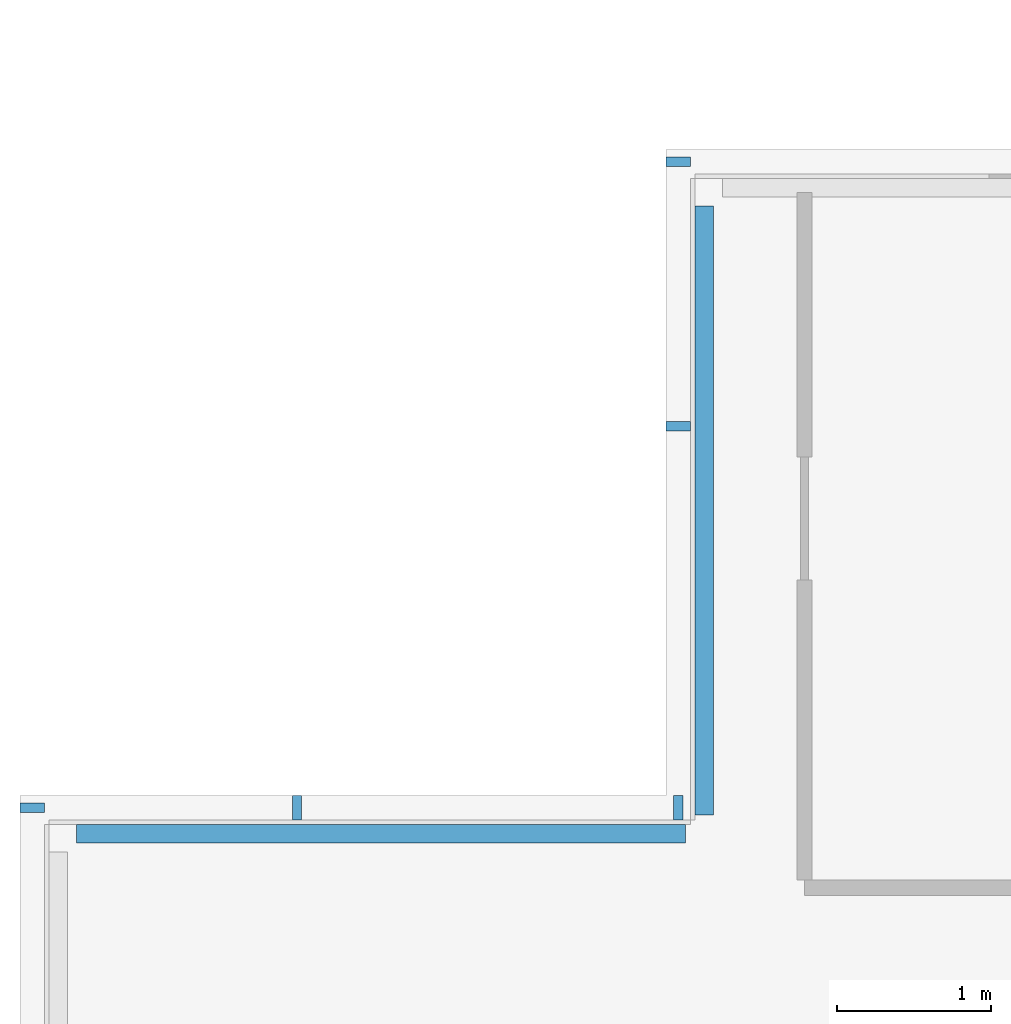
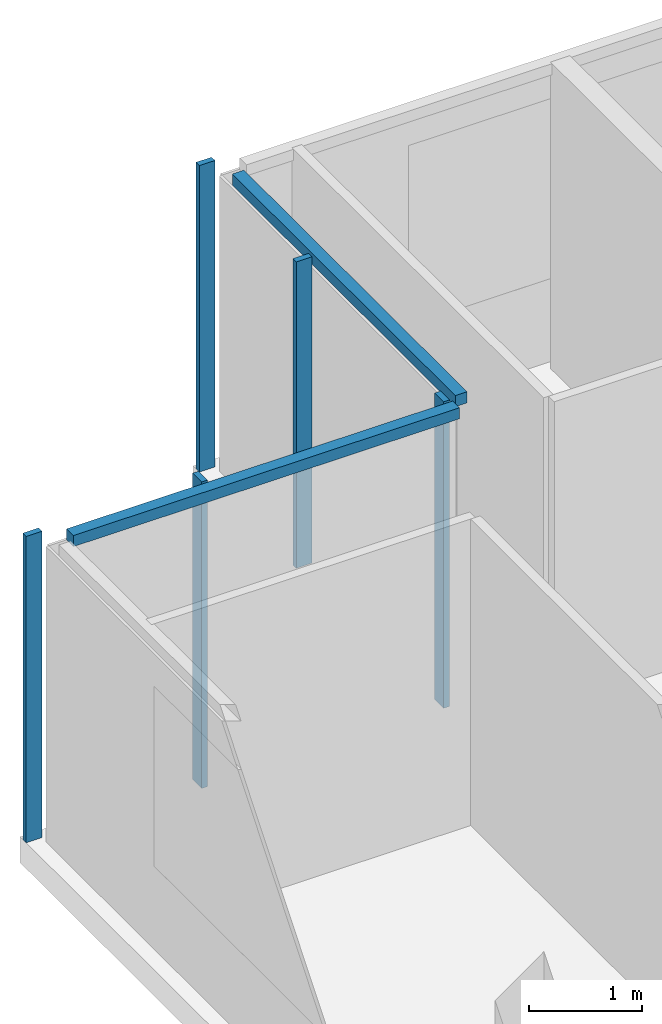
# One storey, part 7 of 22: 7 members, 3 elements without a shape of their own.
"""IFC4 building model written with IfcOpenShell, lengths in metres."""

from ifc_helpers import new_model, si_unit, direction, frame, origin, origin_2d, place, context, subcontext, project, spatial, rectangle, extrude, material, material_profile, profile_set, type_object, element, aggregate, save


model = new_model("IFC4")

# Units and contexts
model_context = context("Model", 3, precision=1e-05, world=origin(), true_north=direction((0.0, 1.0)))
body_context = subcontext(model_context, "Body", "Model", "MODEL_VIEW")
ifc_project = project(units=[si_unit("LENGTHUNIT", "METRE"), si_unit("AREAUNIT", "SQUARE_METRE"), si_unit("VOLUMEUNIT", "CUBIC_METRE"), si_unit("PLANEANGLEUNIT", "RADIAN"), si_unit("MASSUNIT", "GRAM", prefix="KILO")], contexts=[model_context])

# Site, building, storey
site_placement = place(None, origin())
site = spatial("IfcSite", under=ifc_project, at=site_placement, CompositionType="ELEMENT")
building_placement = place(site_placement, origin())
building = spatial("IfcBuilding", under=site, at=building_placement, Name="Saffron Gate Tower", CompositionType="ELEMENT")
storey_placement = place(building_placement, frame((0.0, 0.0, 295.949951171875)))
storey = spatial("IfcBuildingStorey", under=building, at=storey_placement, Name="L72", CompositionType="ELEMENT", Elevation=295.949951171875)

# Curtain wall, member
ifc_material = material(Name="Aluminium, bronze anodised", Category="aluminium")
curtain_wall_type_1 = type_object("IfcCurtainWallType", Name="CWS2 curtain wall side facades", PredefinedType="NOTDEFINED", material=ifc_material)
curtain_wall_1_placement = place(storey_placement, origin())
curtain_wall_1 = element("IfcCurtainWall", 1, at=curtain_wall_1_placement, inside=storey, type_object=curtain_wall_type_1, Name="CWS2 run 10", PredefinedType="NOTDEFINED")
ifc_material_profile_1 = material_profile(ifc_material, rectangle(XDim=0.159912109375, YDim=0.06005859375, at=origin_2d()))
ifc_profile_set_1 = profile_set([ifc_material_profile_1], Name="Aluminium, bronze anodised")
member_type_1 = type_object("IfcMemberType", Name="CWS2 mullion 60x160", PredefinedType="MULLION", material=ifc_profile_set_1)
member_1_placement = place(storey_placement, frame((56.47998046875, 71.320068359375, 0.0), z_axis=(0.0, 0.0, 1.0), x_axis=(1.0, 0.0, 0.0)))
member_1 = element("IfcMember", 2, at=member_1_placement, type_object=member_type_1, Name="CWS2 mullion 1", PredefinedType="MULLION", context=body_context, shape_type="SweptSolid", body=[
    extrude(rectangle(XDim=0.159912109375, YDim=0.06005859375, at=origin_2d()), origin(), (0.0, 0.0, 1.0), 3.320068359375),
])
aggregate(curtain_wall_1, [member_1])

curtain_wall_type_2 = type_object("IfcCurtainWallType", Name="CWS4 curtain wall corner returns", PredefinedType="NOTDEFINED", material=ifc_material)
curtain_wall_2_placement = place(storey_placement, origin())
curtain_wall_2 = element("IfcCurtainWall", 3, at=curtain_wall_2_placement, inside=storey, type_object=curtain_wall_type_2, Name="CWS4 run 8", PredefinedType="NOTDEFINED")
ifc_material_profile_2 = material_profile(ifc_material, rectangle(XDim=0.1201171875, YDim=0.1201171875, at=origin_2d()))
ifc_profile_set_2 = profile_set([ifc_material_profile_2], Name="Aluminium, bronze anodised")
member_type_2 = type_object("IfcMemberType", Name="CWS4 head transom", PredefinedType="USERDEFINED", material=ifc_profile_set_2)
member_2_placement = place(storey_placement, frame((60.847900390625, 75.23193359375, 3.260009765625), z_axis=(0.0, -1.0, 0.0), x_axis=(1.0, 0.0, 0.0)))
member_2 = element("IfcMember", 4, at=member_2_placement, type_object=member_type_2, Name="CWS4 head transom", ObjectType="TRANSOM", PredefinedType="USERDEFINED", context=body_context, shape_type="SweptSolid", body=[
    extrude(rectangle(XDim=0.1201171875, YDim=0.1201171875, at=origin_2d()), origin(), (0.0, 0.0, 1.0), 3.9599609375),
])

curtain_wall_3_placement = place(storey_placement, origin())
curtain_wall_3 = element("IfcCurtainWall", 5, at=curtain_wall_3_placement, inside=storey, type_object=curtain_wall_type_2, Name="CWS4 run 9", PredefinedType="NOTDEFINED")
member_3_placement = place(storey_placement, frame((60.72802734375, 71.152099609375, 3.260009765625), z_axis=(-1.0, 0.0, 0.0), x_axis=(0.0, -1.0, 0.0)))
member_3 = element("IfcMember", 6, at=member_3_placement, type_object=member_type_2, Name="CWS4 head transom", ObjectType="TRANSOM", PredefinedType="USERDEFINED", context=body_context, shape_type="SweptSolid", body=[
    extrude(rectangle(XDim=0.1201171875, YDim=0.1201171875, at=origin_2d()), origin(), (0.0, 0.0, 1.0), 3.9599609375),
])

# Member
ifc_material_profile_3 = material_profile(ifc_material, rectangle(XDim=0.159912109375, YDim=0.06005859375, at=origin_2d()))
ifc_profile_set_3 = profile_set([ifc_material_profile_3], Name="Aluminium, bronze anodised")
member_type_3 = type_object("IfcMemberType", Name="CWS4 mullion 60x160", PredefinedType="MULLION", material=ifc_profile_set_3)
member_4_placement = place(storey_placement, frame((60.679931640625, 75.52001953125, 0.0), z_axis=(0.0, 0.0, 1.0), x_axis=(1.0, 0.0, 0.0)))
member_4 = element("IfcMember", 7, at=member_4_placement, type_object=member_type_3, Name="CWS4 mullion 1", PredefinedType="MULLION", context=body_context, shape_type="SweptSolid", body=[
    extrude(rectangle(XDim=0.159912109375, YDim=0.06005859375, at=origin_2d()), origin(), (0.0, 0.0, 1.0), 3.320068359375),
])

member_5_placement = place(storey_placement, frame((60.679931640625, 73.800048828125, 0.0), z_axis=(0.0, 0.0, 1.0), x_axis=(1.0, 0.0, 0.0)))
member_5 = element("IfcMember", 8, at=member_5_placement, type_object=member_type_3, Name="CWS4 mullion 2", PredefinedType="MULLION", context=body_context, shape_type="SweptSolid", body=[
    extrude(rectangle(XDim=0.159912109375, YDim=0.06005859375, at=origin_2d()), origin(), (0.0, 0.0, 1.0), 3.320068359375),
])

aggregate(curtain_wall_2, [member_4, member_5, member_2])

member_6_placement = place(storey_placement, frame((60.679931640625, 71.320068359375, 0.0), z_axis=(0.0, 0.0, 1.0), x_axis=(0.0, -1.0, 0.0)))
member_6 = element("IfcMember", 9, at=member_6_placement, type_object=member_type_3, Name="CWS4 mullion 1", PredefinedType="MULLION", context=body_context, shape_type="SweptSolid", body=[
    extrude(rectangle(XDim=0.159912109375, YDim=0.06005859375, at=origin_2d()), origin(), (0.0, 0.0, 1.0), 3.320068359375),
])

member_7_placement = place(storey_placement, frame((58.199951171875, 71.320068359375, 0.0), z_axis=(0.0, 0.0, 1.0), x_axis=(0.0, -1.0, 0.0)))
member_7 = element("IfcMember", 10, at=member_7_placement, type_object=member_type_3, Name="CWS4 mullion 2", PredefinedType="MULLION", context=body_context, shape_type="SweptSolid", body=[
    extrude(rectangle(XDim=0.159912109375, YDim=0.06005859375, at=origin_2d()), origin(), (0.0, 0.0, 1.0), 3.320068359375),
])

aggregate(curtain_wall_3, [member_6, member_7, member_3])

save(model, "model.ifc")
